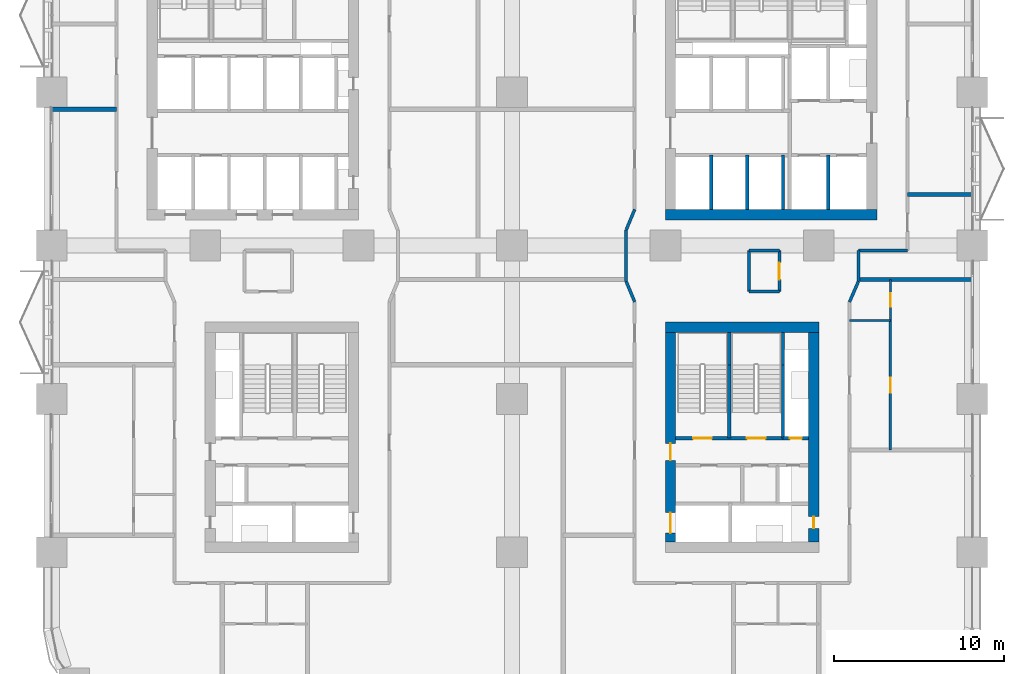
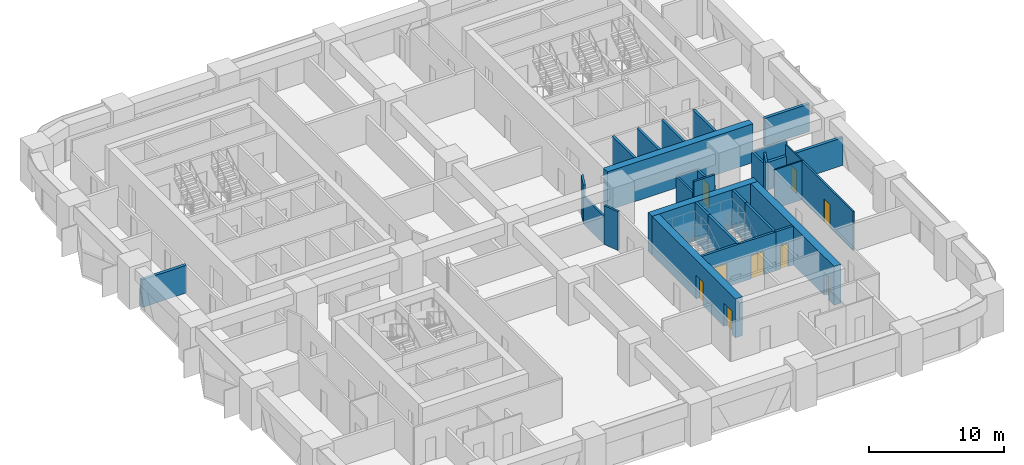
# One storey, part 14 of 21: 30 walls, 9 doors, 9 openings.
"""IFC4 building model written with IfcOpenShell, lengths in metres."""

from ifc_helpers import new_model, si_unit, direction, frame, frame_2d, origin, place, context, subcontext, project, spatial, rectangle, extrude, material, layer, layer_set, type_object, element, fill, save


model = new_model("IFC4")

# Units and contexts
model_context = context("Model", 3, precision=1e-05, world=origin(), true_north=direction((0.0, 1.0)))
body_context = subcontext(model_context, "Body", "Model", "MODEL_VIEW")
ifc_project = project(units=[si_unit("LENGTHUNIT", "METRE"), si_unit("AREAUNIT", "SQUARE_METRE"), si_unit("VOLUMEUNIT", "CUBIC_METRE"), si_unit("PLANEANGLEUNIT", "RADIAN"), si_unit("MASSUNIT", "GRAM", prefix="KILO")], contexts=[model_context])

# Site, building, storey
site_placement = place(None, origin())
site = spatial("IfcSite", under=ifc_project, at=site_placement, CompositionType="ELEMENT")
building_placement = place(site_placement, origin())
building = spatial("IfcBuilding", under=site, at=building_placement, Name="Tessera Arch", CompositionType="ELEMENT")
storey_placement = place(building_placement, frame((0.0, 0.0, 42.39990234375)))
storey = spatial("IfcBuildingStorey", under=building, at=storey_placement, Name="L08", CompositionType="ELEMENT", Elevation=42.39990234375)

# Walls
ifc_material_1 = material(Name="Concrete C70/85", Category="concrete")
ifc_layer_1 = layer(ifc_material_1, 0.60009765625)
ifc_layer_set_1 = layer_set([ifc_layer_1], Name="Core shell wall 600 C70-85")
wall_type_1 = type_object("IfcWallType", Name="Core shell wall 600 C70-85", PredefinedType="SHEAR", material=ifc_layer_set_1)
wall_1_placement = place(storey_placement, frame((36.0, 28.800048828125, 0.0), z_axis=(0.0, 0.0, 1.0), x_axis=(1.0, 0.0, 0.0)))
element("IfcWall", 1, at=wall_1_placement, inside=storey, type_object=wall_type_1, Name="L08 C1 core wall S", PredefinedType="SHEAR", context=body_context, shape_type="SweptSolid", body=[
    extrude(rectangle(XDim=12.39990234375, YDim=0.60009765625, at=frame_2d((6.199951171875, 0.0))), origin(), (0.0, 0.0, 1.0), 3.5),
])
wall_2_placement = place(storey_placement, frame((36.0, 22.199951171875, 0.0), z_axis=(0.0, 0.0, 1.0), x_axis=(1.0, 0.0, 0.0)))
element("IfcWall", 2, at=wall_2_placement, inside=storey, type_object=wall_type_1, Name="L08 C3 core wall N", PredefinedType="SHEAR", context=body_context, shape_type="SweptSolid", body=[
    extrude(rectangle(XDim=9.0, YDim=0.60009765625, at=frame_2d((4.5, 0.0))), origin(), (0.0, 0.0, 1.0), 3.5),
])

# Wall, openings, doors
wall_3_placement = place(storey_placement, frame((36.300048828125, 9.60009765625, 0.0), z_axis=(0.0, 0.0, 1.0), x_axis=(0.0, 1.0, 0.0)))
wall_3 = element("IfcWall", 3, at=wall_3_placement, inside=storey, type_object=wall_type_1, Name="L08 C3 core wall W", PredefinedType="SHEAR", context=body_context, shape_type="SweptSolid", body=[
    extrude(rectangle(XDim=12.2998046875, YDim=0.60009765625, at=frame_2d((6.14990234375, 0.0))), origin(), (0.0, 0.0, 1.0), 3.5),
])
opening_1_placement = place(wall_3_placement, frame((0.52490234375, 0.0, 0.0)))
opening_1 = element("IfcOpeningElement", 4, at=opening_1_placement, cuts=wall_3, Name="Opening L08-C33", PredefinedType="OPENING", context=body_context, shape_type="SweptSolid", body=[
    extrude(rectangle(XDim=1.199951171875, YDim=2.10009765625, at=frame_2d((0.60009765625, 1.050048828125))), frame((0.0, 0.31005859375, 0.0), z_axis=(0.0, -1.0, 0.0), x_axis=(1.0, 0.0, 0.0)), (0.0, 0.0, 1.0), 0.6201171875),
])
opening_2_placement = place(wall_3_placement, frame((4.800048828125, 0.0, 0.0)))
opening_2 = element("IfcOpeningElement", 5, at=opening_2_placement, cuts=wall_3, Name="Opening L08-C39", PredefinedType="OPENING", context=body_context, shape_type="SweptSolid", body=[
    extrude(rectangle(XDim=1.0, YDim=2.10009765625, at=frame_2d((0.5, 1.050048828125))), frame((0.0, 0.31005859375, 0.0), z_axis=(0.0, -1.0, 0.0), x_axis=(1.0, 0.0, 0.0)), (0.0, 0.0, 1.0), 0.6201171875),
])
ifc_material_2 = material(Name="Steel door leaf", Category="steel")
door_type_1 = type_object("IfcDoorType", Name="Corridor door FD60 1000 x 2100", OperationType="SINGLE_SWING_LEFT", PredefinedType="DOOR", material=ifc_material_2)
door_1_placement = place(opening_2_placement, origin())
door_1 = element("IfcDoor", 6, at=door_1_placement, inside=storey, type_object=door_type_1, Name="L08 C3 door 7 C39 type D12", OperationType="SINGLE_SWING_LEFT", OverallHeight=2.10009765625, OverallWidth=1.0, PredefinedType="DOOR", context=body_context, shape_type="SweptSolid", body=[
    extrude(rectangle(XDim=1.0, YDim=2.10009765625, at=frame_2d((0.5, 1.050048828125))), frame((0.0, 0.02490234375, 0.0), z_axis=(0.0, -1.0, 0.0), x_axis=(1.0, 0.0, 0.0)), (0.0, 0.0, 1.0), 0.050048828125),
])
fill(opening_2, door_1)
ifc_material_3 = material(Name="Stainless steel AISI 304", Category="steel")
door_type_2 = type_object("IfcDoorType", Name="Sliding landing door 1200 x 2100", OperationType="SLIDING_TO_LEFT", PredefinedType="DOOR", material=ifc_material_3)
door_2_placement = place(opening_1_placement, origin())
door_2 = element("IfcDoor", 7, at=door_2_placement, inside=storey, type_object=door_type_2, Name="L08 SV1 lift landing door C33 type LD", OperationType="SLIDING_TO_LEFT", OverallHeight=2.10009765625, OverallWidth=1.199951171875, PredefinedType="DOOR", context=body_context, shape_type="SweptSolid", body=[
    extrude(rectangle(XDim=1.199951171875, YDim=2.10009765625, at=frame_2d((0.60009765625, 1.050048828125))), frame((0.0, 0.02490234375, 0.0), z_axis=(0.0, -1.0, 0.0), x_axis=(1.0, 0.0, 0.0)), (0.0, 0.0, 1.0), 0.050048828125),
])
fill(opening_1, door_2)

# Wall, opening, door
wall_4_placement = place(storey_placement, frame((44.699951171875, 9.60009765625, 0.0), z_axis=(0.0, 0.0, 1.0), x_axis=(0.0, 1.0, 0.0)))
wall_4 = element("IfcWall", 8, at=wall_4_placement, inside=storey, type_object=wall_type_1, Name="L08 C3 core wall E", PredefinedType="SHEAR", context=body_context, shape_type="SweptSolid", body=[
    extrude(rectangle(XDim=12.2998046875, YDim=0.60009765625, at=frame_2d((6.14990234375, 0.0))), origin(), (0.0, 0.0, 1.0), 3.5),
])
opening_3_placement = place(wall_4_placement, frame((0.800048828125, 0.0, 0.0)))
opening_3 = element("IfcOpeningElement", 9, at=opening_3_placement, cuts=wall_4, Name="Opening L08-C38", PredefinedType="OPENING", context=body_context, shape_type="SweptSolid", body=[
    extrude(rectangle(XDim=0.699951171875, YDim=2.10009765625, at=frame_2d((0.35009765625, 1.050048828125))), frame((0.0, 0.31005859375, 0.0), z_axis=(0.0, -1.0, 0.0), x_axis=(1.0, 0.0, 0.0)), (0.0, 0.0, 1.0), 0.6201171875),
])
ifc_material_4 = material(Name="Steel door leaf", Category="steel")
door_type_3 = type_object("IfcDoorType", Name="Service shaft door FD60 700 x 2100", OperationType="SINGLE_SWING_LEFT", PredefinedType="DOOR", material=ifc_material_4)
door_3_placement = place(opening_3_placement, origin())
door_3 = element("IfcDoor", 10, at=door_3_placement, inside=storey, type_object=door_type_3, Name="L08 C3 door 6 C38 type D07", OperationType="SINGLE_SWING_LEFT", OverallHeight=2.10009765625, OverallWidth=0.699951171875, PredefinedType="DOOR", context=body_context, shape_type="SweptSolid", body=[
    extrude(rectangle(XDim=0.699951171875, YDim=2.10009765625, at=frame_2d((0.35009765625, 1.050048828125))), frame((0.0, 0.02490234375, 0.0), z_axis=(0.0, -1.0, 0.0), x_axis=(1.0, 0.0, 0.0)), (0.0, 0.0, 1.0), 0.050048828125),
])
fill(opening_3, door_3)

# Walls
ifc_material_5 = material(Name="Gypsum board on deep steel stud with mineral wool", Category="steel")
ifc_layer_2 = layer(ifc_material_5, 0.175048828125)
ifc_layer_set_2 = layer_set([ifc_layer_2], Name="Corridor wall 175 EI 60")
wall_type_2 = type_object("IfcWallType", Name="Corridor wall 175 EI 60", PredefinedType="PARTITIONING", material=ifc_layer_set_2)
wall_5_placement = place(storey_placement, frame((40.89990234375, 24.300048828125, 0.0), z_axis=(0.0, 0.0, 1.0), x_axis=(1.0, 0.0, 0.0)))
element("IfcWall", 11, at=wall_5_placement, inside=storey, type_object=wall_type_2, Name="L08 partition 4", PredefinedType="PARTITIONING", context=body_context, shape_type="SweptSolid", body=[
    extrude(rectangle(XDim=1.780029296875, YDim=0.175048828125, at=frame_2d((0.89013671875, 0.0))), origin(), (0.0, 0.0, 1.0), 3.5),
])
wall_6_placement = place(storey_placement, frame((40.89990234375, 26.699951171875, 0.0), z_axis=(0.0, 0.0, 1.0), x_axis=(1.0, 0.0, 0.0)))
element("IfcWall", 12, at=wall_6_placement, inside=storey, type_object=wall_type_2, Name="L08 partition 7", PredefinedType="PARTITIONING", context=body_context, shape_type="SweptSolid", body=[
    extrude(rectangle(XDim=1.780029296875, YDim=0.175048828125, at=frame_2d((0.89013671875, 0.0))), origin(), (0.0, 0.0, 1.0), 2.5),
])
wall_7_placement = place(storey_placement, frame((47.320068359375, 26.699951171875, 0.0), z_axis=(0.0, 0.0, 1.0), x_axis=(1.0, 0.0, 0.0)))
element("IfcWall", 13, at=wall_7_placement, inside=storey, type_object=wall_type_2, Name="L08 partition 8", PredefinedType="PARTITIONING", context=body_context, shape_type="SweptSolid", body=[
    extrude(rectangle(XDim=2.8798828125, YDim=0.175048828125, at=frame_2d((1.43994140625, 0.0))), origin(), (0.0, 0.0, 1.0), 2.5),
])
wall_8_placement = place(storey_placement, frame((33.699951171875, 24.889892578125, 0.0), z_axis=(0.0, 0.0, 1.0), x_axis=(0.0, 1.0, 0.0)))
element("IfcWall", 14, at=wall_8_placement, inside=storey, type_object=wall_type_2, Name="L08 partition 19", PredefinedType="PARTITIONING", context=body_context, shape_type="SweptSolid", body=[
    extrude(rectangle(XDim=3.030029296875, YDim=0.175048828125, at=frame_2d((1.51513671875, 0.0))), origin(), (0.0, 0.0, 1.0), 2.5),
])
wall_9_placement = place(storey_placement, frame((40.89990234375, 24.300048828125, 0.0), z_axis=(0.0, 0.0, 1.0), x_axis=(0.0, 1.0, 0.0)))
element("IfcWall", 15, at=wall_9_placement, inside=storey, type_object=wall_type_2, Name="L08 partition 22", PredefinedType="PARTITIONING", context=body_context, shape_type="SweptSolid", body=[
    extrude(rectangle(XDim=2.39990234375, YDim=0.175048828125, at=frame_2d((1.199951171875, 0.0))), origin(), (0.0, 0.0, 1.0), 2.5),
])

# Wall, opening, door
wall_10_placement = place(storey_placement, frame((42.679931640625, 24.300048828125, 0.0), z_axis=(0.0, 0.0, 1.0), x_axis=(0.0, 1.0, 0.0)))
wall_10 = element("IfcWall", 16, at=wall_10_placement, inside=storey, type_object=wall_type_2, Name="L08 partition 23", PredefinedType="PARTITIONING", context=body_context, shape_type="SweptSolid", body=[
    extrude(rectangle(XDim=2.39990234375, YDim=0.175048828125, at=frame_2d((1.199951171875, 0.0))), origin(), (0.0, 0.0, 1.0), 2.5),
])
opening_4_placement = place(wall_10_placement, frame((0.699951171875, 0.0, 0.0)))
opening_4 = element("IfcOpeningElement", 17, at=opening_4_placement, cuts=wall_10, Name="Opening L08-D021", PredefinedType="OPENING", context=body_context, shape_type="SweptSolid", body=[
    extrude(rectangle(XDim=1.0, YDim=2.10009765625, at=frame_2d((0.5, 1.050048828125))), frame((0.0, 0.097412109375, 0.0), z_axis=(0.0, -1.0, 0.0), x_axis=(1.0, 0.0, 0.0)), (0.0, 0.0, 1.0), 0.195068359375),
])
ifc_material_6 = material(Name="Fire-rated door leaf")
door_type_4 = type_object("IfcDoorType", Name="Entrance door FD30S 1000 x 2100", OperationType="SINGLE_SWING_LEFT", PredefinedType="DOOR", material=ifc_material_6)
door_4_placement = place(opening_4_placement, origin())
door_4 = element("IfcDoor", 18, at=door_4_placement, inside=storey, type_object=door_type_4, Name="L08 door D021 type D03", OperationType="SINGLE_SWING_LEFT", OverallHeight=2.10009765625, OverallWidth=1.0, PredefinedType="DOOR", context=body_context, shape_type="SweptSolid", body=[
    extrude(rectangle(XDim=1.0, YDim=2.10009765625, at=frame_2d((0.5, 1.050048828125))), frame((0.0, 0.02490234375, 0.0), z_axis=(0.0, -1.0, 0.0), x_axis=(1.0, 0.0, 0.0)), (0.0, 0.0, 1.0), 0.050048828125),
])
fill(opening_4, door_4)

# Walls
wall_11_placement = place(storey_placement, frame((47.320068359375, 24.889892578125, 0.0), z_axis=(0.0, 0.0, 1.0), x_axis=(0.0, 1.0, 0.0)))
element("IfcWall", 19, at=wall_11_placement, inside=storey, type_object=wall_type_2, Name="L08 partition 25", PredefinedType="PARTITIONING", context=body_context, shape_type="SweptSolid", body=[
    extrude(rectangle(XDim=1.81005859375, YDim=0.175048828125, at=frame_2d((0.905029296875, 0.0))), origin(), (0.0, 0.0, 1.0), 2.5),
])
wall_12_placement = place(storey_placement, frame((47.320068359375, 24.889892578125, 0.0), z_axis=(0.0, 0.0, 1.0), x_axis=(-0.397633632391, -0.917544273804, 0.0)))
element("IfcWall", 20, at=wall_12_placement, inside=storey, type_object=wall_type_2, Name="L08 partition 68", PredefinedType="PARTITIONING", context=body_context, shape_type="SweptSolid", body=[
    extrude(rectangle(XDim=1.307861328125, YDim=0.175048828125, at=frame_2d((0.65380859375, 0.0))), origin(), (0.0, 0.0, 1.0), 3.5),
])
wall_13_placement = place(storey_placement, frame((34.199951171875, 23.68994140625, 0.0), z_axis=(0.0, 0.0, 1.0), x_axis=(-0.384628719983, 0.923071366561, 0.0)))
element("IfcWall", 21, at=wall_13_placement, inside=storey, type_object=wall_type_2, Name="L08 partition 69", PredefinedType="PARTITIONING", context=body_context, shape_type="SweptSolid", body=[
    extrude(rectangle(XDim=1.300048828125, YDim=0.175048828125, at=frame_2d((0.64990234375, 0.0))), origin(), (0.0, 0.0, 1.0), 3.5),
])
wall_14_placement = place(storey_placement, frame((33.699951171875, 27.919921875, 0.0), z_axis=(0.0, 0.0, 1.0), x_axis=(0.384562051588, 0.923099143363, 0.0)))
element("IfcWall", 22, at=wall_14_placement, inside=storey, type_object=wall_type_2, Name="L08 partition 70", PredefinedType="PARTITIONING", context=body_context, shape_type="SweptSolid", body=[
    extrude(rectangle(XDim=1.30029296875, YDim=0.175048828125, at=frame_2d((0.650146484375, 0.0))), origin(), (0.0, 0.0, 1.0), 3.5),
])

# Wall, opening, door
ifc_material_7 = material(Name="Gypsum board on steel stud", Category="steel")
ifc_layer_3 = layer(ifc_material_7, 0.14990234375)
ifc_layer_set_3 = layer_set([ifc_layer_3], Name="Partition 150")
wall_type_3 = type_object("IfcWallType", Name="Partition 150", PredefinedType="PARTITIONING", material=ifc_layer_set_3)
wall_15_placement = place(storey_placement, frame((49.199951171875, 15.0, 0.0), z_axis=(0.0, 0.0, 1.0), x_axis=(0.0, 1.0, 0.0)))
wall_15 = element("IfcWall", 23, at=wall_15_placement, inside=storey, type_object=wall_type_3, Name="L08 partition 31", PredefinedType="PARTITIONING", context=body_context, shape_type="SweptSolid", body=[
    extrude(rectangle(XDim=7.60009765625, YDim=0.14990234375, at=frame_2d((3.800048828125, 0.0))), origin(), (0.0, 0.0, 1.0), 3.5),
])
opening_5_placement = place(wall_15_placement, frame((3.35009765625, 0.0, 0.0)))
opening_5 = element("IfcOpeningElement", 24, at=opening_5_placement, cuts=wall_15, Name="Opening L08-D016", PredefinedType="OPENING", context=body_context, shape_type="SweptSolid", body=[
    extrude(rectangle(XDim=0.89990234375, YDim=2.10009765625, at=frame_2d((0.449951171875, 1.050048828125))), frame((0.0, 0.0849609375, 0.0), z_axis=(0.0, -1.0, 0.0), x_axis=(1.0, 0.0, 0.0)), (0.0, 0.0, 1.0), 0.169921875),
])
ifc_material_8 = material(Name="Timber door leaf", Category="wood")
door_type_5 = type_object("IfcDoorType", Name="Room door 900 x 2100", OperationType="SINGLE_SWING_LEFT", PredefinedType="DOOR", material=ifc_material_8)
door_5_placement = place(opening_5_placement, origin())
door_5 = element("IfcDoor", 25, at=door_5_placement, inside=storey, type_object=door_type_5, Name="L08 door D016 type D01", OperationType="SINGLE_SWING_LEFT", OverallHeight=2.10009765625, OverallWidth=0.89990234375, PredefinedType="DOOR", context=body_context, shape_type="SweptSolid", body=[
    extrude(rectangle(XDim=0.89990234375, YDim=2.10009765625, at=frame_2d((0.449951171875, 1.050048828125))), frame((0.0, 0.02490234375, 0.0), z_axis=(0.0, -1.0, 0.0), x_axis=(1.0, 0.0, 0.0)), (0.0, 0.0, 1.0), 0.050048828125),
])
fill(opening_5, door_5)

# Walls
ifc_material_9 = material(Name="Double gypsum board on twin steel stud with acoustic mineral wool", Category="steel")
ifc_layer_4 = layer(ifc_material_9, 0.25)
ifc_layer_set_4 = layer_set([ifc_layer_4], Name="Party wall 250 EI 60")
wall_type_4 = type_object("IfcWallType", Name="Party wall 250 EI 60", PredefinedType="PARTITIONING", material=ifc_layer_set_4)
wall_16_placement = place(storey_placement, frame((47.320068359375, 25.0, 0.0), z_axis=(0.0, 0.0, 1.0), x_axis=(1.0, 0.0, 0.0)))
element("IfcWall", 26, at=wall_16_placement, inside=storey, type_object=wall_type_4, Name="L08 partition 39", PredefinedType="PARTITIONING", context=body_context, shape_type="SweptSolid", body=[
    extrude(rectangle(XDim=6.679931640625, YDim=0.25, at=frame_2d((3.33984375, 0.0))), origin(), (0.0, 0.0, 1.0), 2.5),
])
for number, where, z_axis, x_axis, name in (
    (27, (50.199951171875, 30.0, 0.0), (0.0, 0.0, 1.0), (1.0, 0.0, 0.0), "L08 partition 40"),
    (28, (0.0, 35.0, 0.0), (0.0, 0.0, 1.0), (1.0, 0.0, 0.0), "L08 partition 41"),
):
    element("IfcWall", number, at=place(storey_placement, frame(where, z_axis=z_axis, x_axis=x_axis)), inside=storey, type_object=wall_type_4, Name=name, PredefinedType="PARTITIONING", context=body_context, shape_type="SweptSolid", body=[
        extrude(rectangle(XDim=3.800048828125, YDim=0.25, at=frame_2d((1.89990234375, 0.0))), origin(), (0.0, 0.0, 1.0), 2.5),
    ])
ifc_material_10 = material(Name="Concrete C40/50", Category="concrete")
ifc_layer_5 = layer(ifc_material_10, 0.199951171875)
ifc_layer_set_5 = layer_set([ifc_layer_5], Name="Shaft wall 200 EI 120")
wall_type_5 = type_object("IfcWallType", Name="Shaft wall 200 EI 120", PredefinedType="SOLIDWALL", material=ifc_layer_set_5)
for number, where, z_axis, x_axis, name in (
    (29, (38.699951171875, 29.10009765625, 0.0), (0.0, 0.0, 1.0), (0.0, 1.0, 0.0), "L08 C1 shaft wall 1"),
    (30, (40.800048828125, 29.10009765625, 0.0), (0.0, 0.0, 1.0), (0.0, 1.0, 0.0), "L08 C1 shaft wall 5"),
    (31, (42.89990234375, 29.10009765625, 0.0), (0.0, 0.0, 1.0), (0.0, 1.0, 0.0), "L08 C1 shaft wall 8"),
    (32, (45.550048828125, 29.10009765625, 0.0), (0.0, 0.0, 1.0), (0.0, 1.0, 0.0), "L08 C1 shaft wall 13"),
):
    element("IfcWall", number, at=place(storey_placement, frame(where, z_axis=z_axis, x_axis=x_axis)), inside=storey, type_object=wall_type_5, Name=name, PredefinedType="SOLIDWALL", context=body_context, shape_type="SweptSolid", body=[
        extrude(rectangle(XDim=3.199951171875, YDim=0.199951171875, at=frame_2d((1.60009765625, 0.0))), origin(), (0.0, 0.0, 1.0), 3.5),
    ])

# Wall, opening, door
wall_17_placement = place(storey_placement, frame((42.89990234375, 15.699951171875, 0.0), z_axis=(0.0, 0.0, 1.0), x_axis=(1.0, 0.0, 0.0)))
wall_17 = element("IfcWall", 33, at=wall_17_placement, inside=storey, type_object=wall_type_5, Name="L08 C3 shaft wall 11", PredefinedType="SOLIDWALL", context=body_context, shape_type="SweptSolid", body=[
    extrude(rectangle(XDim=1.5, YDim=0.199951171875, at=frame_2d((0.75, 0.0))), origin(), (0.0, 0.0, 1.0), 3.5),
])
opening_6_placement = place(wall_17_placement, frame((0.39990234375, 0.0, 0.0)))
opening_6 = element("IfcOpeningElement", 34, at=opening_6_placement, cuts=wall_17, Name="Opening L08-C36", PredefinedType="OPENING", context=body_context, shape_type="SweptSolid", body=[
    extrude(rectangle(XDim=0.699951171875, YDim=2.10009765625, at=frame_2d((0.35009765625, 1.050048828125))), frame((0.0, 0.10986328125, 0.0), z_axis=(0.0, -1.0, 0.0), x_axis=(1.0, 0.0, 0.0)), (0.0, 0.0, 1.0), 0.219970703125),
])
door_6_placement = place(opening_6_placement, origin())
door_6 = element("IfcDoor", 35, at=door_6_placement, inside=storey, type_object=door_type_3, Name="L08 C3 door 4 C36 type D07", OperationType="SINGLE_SWING_LEFT", OverallHeight=2.10009765625, OverallWidth=0.699951171875, PredefinedType="DOOR", context=body_context, shape_type="SweptSolid", body=[
    extrude(rectangle(XDim=0.699951171875, YDim=2.10009765625, at=frame_2d((0.35009765625, 1.050048828125))), frame((0.0, 0.02490234375, 0.0), z_axis=(0.0, -1.0, 0.0), x_axis=(1.0, 0.0, 0.0)), (0.0, 0.0, 1.0), 0.050048828125),
])
fill(opening_6, door_6)

# Walls
ifc_material_11 = material(Name="Concrete C40/50", Category="concrete")
ifc_layer_6 = layer(ifc_material_11, 0.199951171875)
ifc_layer_set_6 = layer_set([ifc_layer_6], Name="Stair well wall 200 REI 180")
wall_type_6 = type_object("IfcWallType", Name="Stair well wall 200 REI 180", PredefinedType="SOLIDWALL", material=ifc_layer_set_6)
wall_18_placement = place(storey_placement, frame((39.75, 15.699951171875, 0.0), z_axis=(0.0, 0.0, 1.0), x_axis=(0.0, 1.0, 0.0)))
element("IfcWall", 36, at=wall_18_placement, inside=storey, type_object=wall_type_6, Name="L08 C3 shaft wall 1", PredefinedType="SOLIDWALL", context=body_context, shape_type="SweptSolid", body=[
    extrude(rectangle(XDim=4.300048828125, YDim=0.199951171875, at=frame_2d((2.14990234375, 0.0))), origin(), (0.0, 0.0, 1.0), 3.5),
])
wall_19_placement = place(storey_placement, frame((39.75, 20.0, 0.0), z_axis=(0.0, 0.0, 1.0), x_axis=(0.0, 1.0, 0.0)))
element("IfcWall", 37, at=wall_19_placement, inside=storey, type_object=wall_type_6, Name="L08 C3 shaft wall 2", PredefinedType="SOLIDWALL", context=body_context, shape_type="SweptSolid", body=[
    extrude(rectangle(XDim=1.89990234375, YDim=0.199951171875, at=frame_2d((0.949951171875, 0.0))), origin(), (0.0, 0.0, 1.0), 3.5),
])
wall_20_placement = place(storey_placement, frame((42.89990234375, 15.699951171875, 0.0), z_axis=(0.0, 0.0, 1.0), x_axis=(0.0, 1.0, 0.0)))
element("IfcWall", 38, at=wall_20_placement, inside=storey, type_object=wall_type_6, Name="L08 C3 shaft wall 6", PredefinedType="SOLIDWALL", context=body_context, shape_type="SweptSolid", body=[
    extrude(rectangle(XDim=4.300048828125, YDim=0.199951171875, at=frame_2d((2.14990234375, 0.0))), origin(), (0.0, 0.0, 1.0), 3.5),
])
wall_21_placement = place(storey_placement, frame((42.89990234375, 20.0, 0.0), z_axis=(0.0, 0.0, 1.0), x_axis=(0.0, 1.0, 0.0)))
element("IfcWall", 39, at=wall_21_placement, inside=storey, type_object=wall_type_6, Name="L08 C3 shaft wall 7", PredefinedType="SOLIDWALL", context=body_context, shape_type="SweptSolid", body=[
    extrude(rectangle(XDim=1.89990234375, YDim=0.199951171875, at=frame_2d((0.949951171875, 0.0))), origin(), (0.0, 0.0, 1.0), 3.5),
])

# Wall, openings, doors
wall_22_placement = place(storey_placement, frame((36.60009765625, 15.699951171875, 0.0), z_axis=(0.0, 0.0, 1.0), x_axis=(1.0, 0.0, 0.0)))
wall_22 = element("IfcWall", 40, at=wall_22_placement, inside=storey, type_object=wall_type_6, Name="L08 C3 shaft wall 12", PredefinedType="SOLIDWALL", context=body_context, shape_type="SweptSolid", body=[
    extrude(rectangle(XDim=6.2998046875, YDim=0.199951171875, at=frame_2d((3.14990234375, 0.0))), origin(), (0.0, 0.0, 1.0), 3.5),
])
opening_7_placement = place(wall_22_placement, frame((1.02490234375, 0.0, 0.0)))
opening_7 = element("IfcOpeningElement", 41, at=opening_7_placement, cuts=wall_22, Name="Opening L08-C34", PredefinedType="OPENING", context=body_context, shape_type="SweptSolid", body=[
    extrude(rectangle(XDim=1.10009765625, YDim=2.10009765625, at=frame_2d((0.550048828125, 1.050048828125))), frame((0.0, 0.10986328125, 0.0), z_axis=(0.0, -1.0, 0.0), x_axis=(1.0, 0.0, 0.0)), (0.0, 0.0, 1.0), 0.219970703125),
])
opening_8_placement = place(wall_22_placement, frame((4.175048828125, 0.0, 0.0)))
opening_8 = element("IfcOpeningElement", 42, at=opening_8_placement, cuts=wall_22, Name="Opening L08-C35", PredefinedType="OPENING", context=body_context, shape_type="SweptSolid", body=[
    extrude(rectangle(XDim=1.10009765625, YDim=2.10009765625, at=frame_2d((0.550048828125, 1.050048828125))), frame((0.0, 0.10986328125, 0.0), z_axis=(0.0, -1.0, 0.0), x_axis=(1.0, 0.0, 0.0)), (0.0, 0.0, 1.0), 0.219970703125),
])
ifc_material_12 = material(Name="Steel door leaf", Category="steel")
door_type_6 = type_object("IfcDoorType", Name="Stair door FD60 1100 x 2100", OperationType="SINGLE_SWING_LEFT", PredefinedType="DOOR", material=ifc_material_12)
door_7_placement = place(opening_7_placement, origin())
door_7 = element("IfcDoor", 43, at=door_7_placement, inside=storey, type_object=door_type_6, Name="L08 C3 door 2 C34 type D05", OperationType="SINGLE_SWING_LEFT", OverallHeight=2.10009765625, OverallWidth=1.10009765625, PredefinedType="DOOR", context=body_context, shape_type="SweptSolid", body=[
    extrude(rectangle(XDim=1.10009765625, YDim=2.10009765625, at=frame_2d((0.550048828125, 1.050048828125))), frame((0.0, 0.02490234375, 0.0), z_axis=(0.0, -1.0, 0.0), x_axis=(1.0, 0.0, 0.0)), (0.0, 0.0, 1.0), 0.050048828125),
])
fill(opening_7, door_7)
door_8_placement = place(opening_8_placement, origin())
door_8 = element("IfcDoor", 44, at=door_8_placement, inside=storey, type_object=door_type_6, Name="L08 C3 door 3 C35 type D05", OperationType="SINGLE_SWING_RIGHT", OverallHeight=2.10009765625, OverallWidth=1.10009765625, PredefinedType="DOOR", context=body_context, shape_type="SweptSolid", body=[
    extrude(rectangle(XDim=1.10009765625, YDim=2.10009765625, at=frame_2d((0.550048828125, 1.050048828125))), frame((0.0, 0.02490234375, 0.0), z_axis=(0.0, -1.0, 0.0), x_axis=(1.0, 0.0, 0.0)), (0.0, 0.0, 1.0), 0.050048828125),
])
fill(opening_8, door_8)

# Wall
ifc_material_13 = material(Name="Moisture-resistant board on pre-plumbed steel stud", Category="steel")
ifc_layer_7 = layer(ifc_material_13, 0.10009765625)
ifc_layer_set_7 = layer_set([ifc_layer_7], Name="Wet wall 100")
wall_type_7 = type_object("IfcWallType", Name="Wet wall 100", PredefinedType="PARTITIONING", material=ifc_layer_set_7)
wall_23_placement = place(storey_placement, frame((46.800048828125, 22.60009765625, 0.0), z_axis=(0.0, 0.0, 1.0), x_axis=(1.0, 0.0, 0.0)))
element("IfcWall", 45, at=wall_23_placement, inside=storey, type_object=wall_type_7, Name="L08 partition 61", PredefinedType="PARTITIONING", context=body_context, shape_type="SweptSolid", body=[
    extrude(rectangle(XDim=2.39990234375, YDim=0.10009765625, at=frame_2d((1.199951171875, 0.0))), origin(), (0.0, 0.0, 1.0), 3.5),
])

# Wall, opening, door
wall_24_placement = place(storey_placement, frame((49.199951171875, 22.60009765625, 0.0), z_axis=(0.0, 0.0, 1.0), x_axis=(0.0, 1.0, 0.0)))
wall_24 = element("IfcWall", 46, at=wall_24_placement, inside=storey, type_object=wall_type_7, Name="L08 partition 67", PredefinedType="PARTITIONING", context=body_context, shape_type="SweptSolid", body=[
    extrude(rectangle(XDim=2.39990234375, YDim=0.10009765625, at=frame_2d((1.199951171875, 0.0))), origin(), (0.0, 0.0, 1.0), 3.5),
])
opening_9_placement = place(wall_24_placement, frame((0.800048828125, 0.0, 0.0)))
opening_9 = element("IfcOpeningElement", 47, at=opening_9_placement, cuts=wall_24, Name="Opening L08-D017", PredefinedType="OPENING", context=body_context, shape_type="SweptSolid", body=[
    extrude(rectangle(XDim=0.800048828125, YDim=2.10009765625, at=frame_2d((0.39990234375, 1.050048828125))), frame((0.0, 0.06005859375, 0.0), z_axis=(0.0, -1.0, 0.0), x_axis=(1.0, 0.0, 0.0)), (0.0, 0.0, 1.0), 0.1201171875),
])
ifc_material_14 = material(Name="Timber door leaf", Category="wood")
door_type_7 = type_object("IfcDoorType", Name="En-suite door 800 x 2100", OperationType="SINGLE_SWING_LEFT", PredefinedType="DOOR", material=ifc_material_14)
door_9_placement = place(opening_9_placement, origin())
door_9 = element("IfcDoor", 48, at=door_9_placement, inside=storey, type_object=door_type_7, Name="L08 door D017 type D02", OperationType="SINGLE_SWING_RIGHT", OverallHeight=2.10009765625, OverallWidth=0.800048828125, PredefinedType="DOOR", context=body_context, shape_type="SweptSolid", body=[
    extrude(rectangle(XDim=0.800048828125, YDim=2.10009765625, at=frame_2d((0.39990234375, 1.050048828125))), frame((0.0, 0.02490234375, 0.0), z_axis=(0.0, -1.0, 0.0), x_axis=(1.0, 0.0, 0.0)), (0.0, 0.0, 1.0), 0.050048828125),
])
fill(opening_9, door_9)

save(model, "model.ifc")
